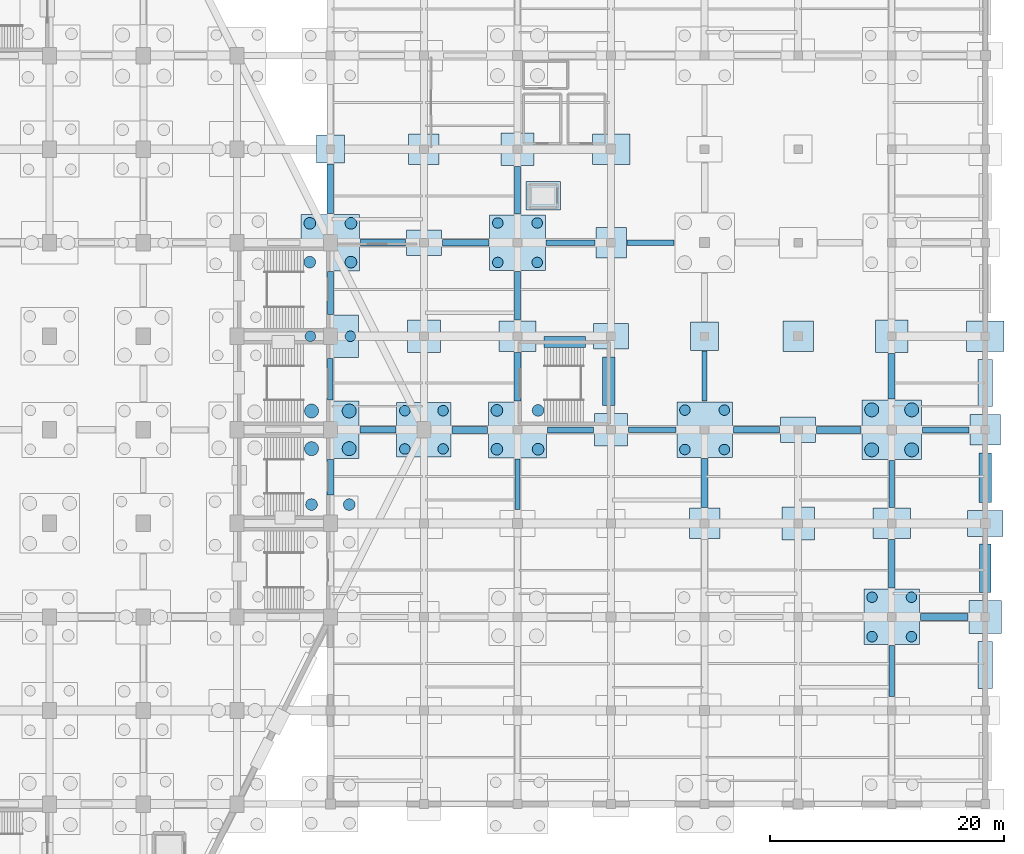
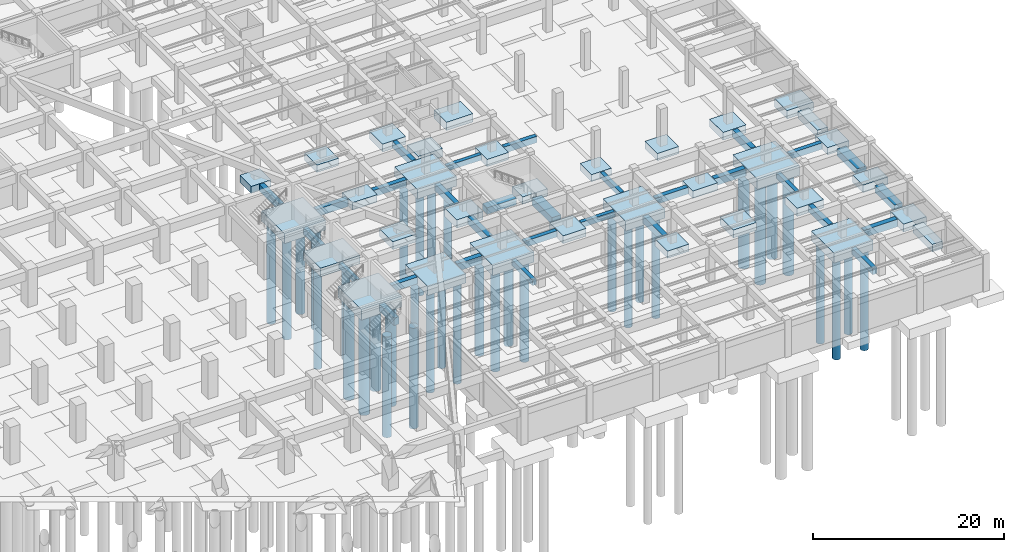
# One storey, part 13 of 36: 63 footings, 36 piles.
"""IFC4 building model written with IfcOpenShell, lengths in metres."""

import ifcopenshell
import ifcopenshell.guid

model = None  # the IFC model being written
_history = None  # IfcOwnerHistory: only IFC2X3 demands one
_inside = {}  # id of a spatial element -> (the spatial element, [elements in it])
_under = {}  # id of a project, library or spatial element -> (it, [spatial elements below it])
_declared = {}  # id of a project -> (the project, [libraries it declares])
_typed = {}  # id of a type object -> (the type object, [elements of that type])
_made_of = {}  # id of a material, layer set ... -> (it, [elements and type objects made of it])


def new_model(schema):
    """Start an empty IFC model of exactly this schema.

    Asked for "IFC4X3", IfcOpenShell would pick the latest addendum, in which some entities
    have other attributes; the version numbers below select the first issue.
    IFC2X3 requires an IfcOwnerHistory on every rooted entity: one is made here for all.
    """
    global model, _history
    if schema == "IFC4X3":
        model = ifcopenshell.file(schema_version=(4, 3, 0, 0))
    else:
        model = ifcopenshell.file(schema=schema)
    _inside.clear()
    _under.clear()
    _declared.clear()
    _typed.clear()
    _made_of.clear()
    _history = None
    if model.schema == "IFC2X3":
        org = make("IfcOrganization", Name="unknown")
        user = make(
            "IfcPersonAndOrganization",
            ThePerson=make("IfcPerson", FamilyName="unknown"),
            TheOrganization=org,
        )
        app = make(
            "IfcApplication",
            ApplicationDeveloper=org,
            Version="unknown",
            ApplicationFullName="unknown",
            ApplicationIdentifier="unknown",
        )
        _history = make(
            "IfcOwnerHistory",
            OwningUser=user,
            OwningApplication=app,
            ChangeAction="ADDED",
            CreationDate=0,
        )
    return model


def make(cls, **values):
    """One entity of the class cls with the attributes given. An attribute that is None is left unset."""
    return model.create_entity(
        cls, **{name: value for name, value in values.items() if value is not None}
    )


def rooted(cls, **values):
    """An entity with a GlobalId (a new one), such as an element, a storey or a relation."""
    return make(cls, GlobalId=ifcopenshell.guid.new(), OwnerHistory=_history, **values)


def si_unit(unit_type, name, prefix=None):
    """IfcSIUnit, for example si_unit("LENGTHUNIT", "METRE", prefix="MILLI")."""
    return make("IfcSIUnit", UnitType=unit_type, Prefix=prefix, Name=name)


def assignment(units):
    """IfcUnitAssignment: the units of a project."""
    return None if units is None else make("IfcUnitAssignment", Units=units)


def point(xyz):
    """IfcCartesianPoint."""
    return None if xyz is None else make("IfcCartesianPoint", Coordinates=xyz)


def direction(xyz):
    """IfcDirection."""
    return None if xyz is None else make("IfcDirection", DirectionRatios=xyz)


def frame(location, z_axis=None, x_axis=None):
    """IfcAxis2Placement3D, a coordinate frame: its origin and axes. An axis left out is left unset."""
    return make(
        "IfcAxis2Placement3D",
        Location=point(location),
        Axis=direction(z_axis),
        RefDirection=direction(x_axis),
    )


def frame_2d(location, x_axis=None):
    """IfcAxis2Placement2D, a coordinate frame in the plane: its origin and x axis."""
    return make(
        "IfcAxis2Placement2D", Location=point(location), RefDirection=direction(x_axis)
    )


def origin():
    """The frame at (0, 0, 0) with its axes left unset."""
    return frame((0.0, 0.0, 0.0))


def origin_2d():
    """The frame at (0, 0) in the plane with its x axis left unset."""
    return frame_2d((0.0, 0.0))


def place(relative_to, where):
    """IfcLocalPlacement: puts the frame where relative to a parent placement (None: the world)."""
    return make(
        "IfcLocalPlacement", PlacementRelTo=relative_to, RelativePlacement=where
    )


def context(
    kind, dimensions, precision=None, world=None, true_north=None, identifier=None
):
    """IfcGeometricRepresentationContext, for example the 3D "Model" context."""
    return make(
        "IfcGeometricRepresentationContext",
        ContextIdentifier=identifier,
        ContextType=kind,
        CoordinateSpaceDimension=dimensions,
        Precision=precision,
        WorldCoordinateSystem=world,
        TrueNorth=true_north,
    )


def subcontext(parent, identifier, kind, view, scale=None):
    """IfcGeometricRepresentationSubContext, for example "Body" below "Model"."""
    return make(
        "IfcGeometricRepresentationSubContext",
        ContextIdentifier=identifier,
        ContextType=kind,
        ParentContext=parent,
        TargetScale=scale,
        TargetView=view,
    )


def project(units=None, contexts=None):
    """IfcProject with its units and contexts."""
    return rooted(
        "IfcProject",
        Name="project",
        RepresentationContexts=contexts,
        UnitsInContext=assignment(units),
    )


def spatial(cls, under=None, at=None, **own):
    """A site, building, storey or space (cls), placed at a placement, below another one or the project."""
    s = rooted(cls, ObjectPlacement=at, **own)
    if under is not None:
        _under.setdefault(under.id(), (under, []))[1].append(s)
    return s


def profile(cls, at=None, kind="AREA", **sizes):
    """A parametric profile (cls). Its sizes go by their IFC names, for example OverallWidth=200.0."""
    return make(cls, ProfileType=kind, Position=at, **sizes)


def rectangle(**sizes):
    """IfcRectangleProfileDef."""
    return profile("IfcRectangleProfileDef", **sizes)


def circle(**sizes):
    """IfcCircleProfileDef."""
    return profile("IfcCircleProfileDef", **sizes)


def extrude(swept, where, along, depth):
    """IfcExtrudedAreaSolid: the profile swept, set in the frame where, extruded along a direction by depth."""
    return make(
        "IfcExtrudedAreaSolid",
        SweptArea=swept,
        Position=where,
        ExtrudedDirection=direction(along),
        Depth=depth,
    )


def shape(context_of_items, identifier, shape_type, items):
    """IfcShapeRepresentation: the items that make up one representation, for example the "Body"."""
    return make(
        "IfcShapeRepresentation",
        ContextOfItems=context_of_items,
        RepresentationIdentifier=identifier,
        RepresentationType=shape_type,
        Items=items,
    )


def material(Name=None, Category=None):
    """IfcMaterial."""
    return make("IfcMaterial", Name=Name, Category=Category)


def material_profile(
    of_material, cross_section, Name=None, Category=None, Priority=None
):
    """IfcMaterialProfile: a cross section and its material."""
    return make(
        "IfcMaterialProfile",
        Name=Name,
        Material=of_material,
        Profile=cross_section,
        Priority=Priority,
        Category=Category,
    )


def profile_set(profiles, Name=None, composite=None):
    """IfcMaterialProfileSet."""
    return make(
        "IfcMaterialProfileSet",
        Name=Name,
        MaterialProfiles=profiles,
        CompositeProfile=composite,
    )


def made_of(thing, what):
    """Note that an element or type object is made of a material, layer set ...; save() writes the relation."""
    if what is not None:
        _made_of.setdefault(what.id(), (what, []))[1].append(thing)
    return thing


def type_object(cls, material=None, **own):
    """A type object (cls), such as IfcWallType, which elements share."""
    return made_of(rooted(cls, **own), material)


def element(
    cls,
    number,
    at=None,
    inside=None,
    cuts=None,
    type_object=None,
    material=None,
    context=None,
    identifier="Body",
    shape_type=None,
    held_by="IfcProductDefinitionShape",
    body=None,
    shapes=None,
    **own,
):
    """One element of the class cls, such as IfcWall. Its Tag is "e" and its number.

    at: its placement. inside: the storey or other place that contains it. cuts: it is an
    opening in that element (IfcRelVoidsElement). A single representation is given by context,
    identifier, shape_type and body (its items); several are given by shapes. held_by: the class
    of the entity that holds the representations. save() writes the other relations.
    """
    e = rooted(cls, Tag="e%d" % number, ObjectPlacement=at, **own)
    if body is not None:
        shapes = [shape(context, identifier, shape_type, body)]
    if shapes is not None:
        e.Representation = make(held_by, Representations=shapes)
    if inside is not None:
        _inside.setdefault(inside.id(), (inside, []))[1].append(e)
    if cuts is not None:
        rooted(
            "IfcRelVoidsElement", RelatingBuildingElement=cuts, RelatedOpeningElement=e
        )
    if type_object is not None:
        _typed.setdefault(type_object.id(), (type_object, []))[1].append(e)
    return made_of(e, material)


def aggregate(whole, parts):
    """IfcRelAggregates: a whole, such as a stair, and the parts it consists of."""
    return rooted("IfcRelAggregates", RelatingObject=whole, RelatedObjects=parts)


def save(model, path):
    """Write the relations noted so far, then the file.

    IfcRelAggregates (storeys below a building ...), IfcRelContainedInSpatialStructure (elements
    in a storey), IfcRelDefinesByType, IfcRelAssociatesMaterial and IfcRelDeclares: one each for
    every whole, place, type object, material and project.
    """
    for whole, parts in _under.values():
        aggregate(whole, parts)
    for where, things in _inside.values():
        rooted(
            "IfcRelContainedInSpatialStructure",
            RelatedElements=things,
            RelatingStructure=where,
        )
    for kind, things in _typed.values():
        rooted("IfcRelDefinesByType", RelatedObjects=things, RelatingType=kind)
    for what, things in _made_of.values():
        rooted("IfcRelAssociatesMaterial", RelatedObjects=things, RelatingMaterial=what)
    for by, libraries in _declared.values():
        rooted("IfcRelDeclares", RelatingContext=by, RelatedDefinitions=libraries)
    model.write(path)


model = new_model("IFC4")

# Units and contexts
model_context = context("Model", 3, precision=1e-05, world=origin(), true_north=direction((0.0, 1.0)))
body_context = subcontext(model_context, "Body", "Model", "MODEL_VIEW")
ifc_project = project(units=[si_unit("LENGTHUNIT", "METRE"), si_unit("AREAUNIT", "SQUARE_METRE"), si_unit("VOLUMEUNIT", "CUBIC_METRE"), si_unit("PLANEANGLEUNIT", "RADIAN"), si_unit("MASSUNIT", "GRAM", prefix="KILO")], contexts=[model_context])

# Site, building, storey
site_placement = place(None, origin())
site = spatial("IfcSite", under=ifc_project, at=site_placement, CompositionType="ELEMENT")
building_placement = place(site_placement, origin())
building = spatial("IfcBuilding", under=site, at=building_placement, Name="Tazarka Park Arena", CompositionType="ELEMENT")
storey_placement = place(building_placement, frame((0.0, 0.0, -4.800048828125)))
storey = spatial("IfcBuildingStorey", under=building, at=storey_placement, Name="B1", CompositionType="ELEMENT", Elevation=-4.800048828125)

# Footings
ifc_material_1 = material(Name="Concrete C35/45", Category="concrete")
footing_type_1 = type_object("IfcFootingType", Name="CAP-PC-02", PredefinedType="PILE_CAP", material=ifc_material_1)
footing_1_placement = place(storey_placement, frame((128.0, 64.0, -1.39990234375), z_axis=(0.0, 0.0, 1.0), x_axis=(1.0, 0.0, 0.0)))
element("IfcFooting", 1, at=footing_1_placement, inside=storey, type_object=footing_type_1, Name="CAP-G-16-08", PredefinedType="PILE_CAP", context=body_context, shape_type="SweptSolid", body=[
    extrude(rectangle(XDim=4.89990234375, YDim=4.89990234375, at=origin_2d()), origin(), (0.0, 0.0, 1.0), 1.39990234375),
])
ifc_material_2 = material(Name="Concrete C35/45", Category="concrete")
footing_type_2 = type_object("IfcFootingType", Name="CAP-PC-03", PredefinedType="PILE_CAP", material=ifc_material_2)
footing_2_placement = place(storey_placement, frame((128.0, 72.0, -1.10009765625), z_axis=(0.0, 0.0, 1.0), x_axis=(1.0, 0.0, 0.0)))
element("IfcFooting", 2, at=footing_2_placement, inside=storey, type_object=footing_type_2, Name="CAP-G-16-09", PredefinedType="PILE_CAP", context=body_context, shape_type="SweptSolid", body=[
    extrude(rectangle(XDim=4.800048828125, YDim=3.60009765625, at=origin_2d()), origin(), (0.0, 0.0, 1.0), 1.10009765625),
])
ifc_material_3 = material(Name="Concrete C35/45", Category="concrete")
footing_type_3 = type_object("IfcFootingType", Name="CAP-PC-04", PredefinedType="PILE_CAP", material=ifc_material_3)
for number, where, z_axis, x_axis, name in (
    (3, (128.0, 80.0, -1.2998046875), (0.0, 0.0, 1.0), (1.0, 0.0, 0.0), "CAP-G-16-10"),
    (4, (144.0, 64.0, -1.2998046875), (0.0, 0.0, 1.0), (1.0, 0.0, 0.0), "CAP-G-18-08"),
):
    element("IfcFooting", number, at=place(storey_placement, frame(where, z_axis=z_axis, x_axis=x_axis)), inside=storey, type_object=footing_type_3, Name=name, PredefinedType="PILE_CAP", context=body_context, shape_type="SweptSolid", body=[
        extrude(rectangle(XDim=5.0, YDim=4.800048828125, at=origin_2d()), origin(), (0.0, 0.0, 1.0), 1.300048828125),
    ])
ifc_material_4 = material(Name="Concrete C35/45", Category="concrete")
footing_type_4 = type_object("IfcFootingType", Name="CAP-PC-06", PredefinedType="PILE_CAP", material=ifc_material_4)
for number, where, z_axis, x_axis, name in (
    (5, (144.0, 80.0, -1.25), (0.0, 0.0, 1.0), (1.0, 0.0, 0.0), "CAP-G-18-10"),
    (6, (160.0, 64.0, -1.25), (0.0, 0.0, 1.0), (1.0, 0.0, 0.0), "CAP-G-20-08"),
    (7, (176.0, 48.0, -1.25), (0.0, 0.0, 1.0), (1.0, 0.0, 0.0), "CAP-G-22-06"),
):
    element("IfcFooting", number, at=place(storey_placement, frame(where, z_axis=z_axis, x_axis=x_axis)), inside=storey, type_object=footing_type_4, Name=name, PredefinedType="PILE_CAP", context=body_context, shape_type="SweptSolid", body=[
        extrude(rectangle(XDim=4.75, YDim=4.75, at=origin_2d()), origin(), (0.0, 0.0, 1.0), 1.25),
    ])
ifc_material_5 = material(Name="Concrete C35/45", Category="concrete")
footing_type_5 = type_object("IfcFootingType", Name="CAP-PC-07", PredefinedType="PILE_CAP", material=ifc_material_5)
footing_3_placement = place(storey_placement, frame((136.0, 64.0, -1.14990234375), z_axis=(0.0, 0.0, 1.0), x_axis=(1.0, 0.0, 0.0)))
element("IfcFooting", 8, at=footing_3_placement, inside=storey, type_object=footing_type_5, Name="CAP-G-17-08", PredefinedType="PILE_CAP", context=body_context, shape_type="SweptSolid", body=[
    extrude(rectangle(XDim=4.64990234375, YDim=4.64990234375, at=origin_2d()), origin(), (0.0, 0.0, 1.0), 1.14990234375),
])
ifc_material_6 = material(Name="Concrete C35/45", Category="concrete")
footing_type_6 = type_object("IfcFootingType", Name="CAP-PC-08", PredefinedType="PILE_CAP", material=ifc_material_6)
footing_4_placement = place(storey_placement, frame((176.0, 64.0, -1.35009765625), z_axis=(0.0, 0.0, 1.0), x_axis=(1.0, 0.0, 0.0)))
element("IfcFooting", 9, at=footing_4_placement, inside=storey, type_object=footing_type_6, Name="CAP-G-22-08", PredefinedType="PILE_CAP", context=body_context, shape_type="SweptSolid", body=[
    extrude(rectangle(XDim=5.10009765625, YDim=5.10009765625, at=origin_2d()), origin(), (0.0, 0.0, 1.0), 1.35009765625),
])
ifc_material_7 = material(Name="Concrete C35/45", Category="concrete")
ifc_material_profile_1 = material_profile(ifc_material_7, rectangle(XDim=0.449951171875, YDim=0.699951171875, at=origin_2d()), Name="Concrete C35/45")
ifc_profile_set_1 = profile_set([ifc_material_profile_1], Name="Concrete C35/45")
footing_type_7 = type_object("IfcFootingType", Name="GB-GB-01", PredefinedType="FOOTING_BEAM", material=ifc_profile_set_1)
footing_5_placement = place(storey_placement, frame((128.0, 66.530029296875, -0.349853515625), z_axis=(0.0, 1.0, 0.0), x_axis=(-1.0, 0.0, 0.0)))
element("IfcFooting", 10, at=footing_5_placement, inside=storey, type_object=footing_type_7, Name="GB-Y-16-08", PredefinedType="FOOTING_BEAM", context=body_context, shape_type="SweptSolid", body=[
    extrude(rectangle(XDim=0.449951171875, YDim=0.699951171875, at=origin_2d()), origin(), (0.0, 0.0, 1.0), 3.590087890625),
])
footing_6_placement = place(storey_placement, frame((144.0, 57.179931640625, -0.349853515625), z_axis=(0.0, 1.0, 0.0), x_axis=(-1.0, 0.0, 0.0)))
element("IfcFooting", 11, at=footing_6_placement, inside=storey, type_object=footing_type_7, Name="GB-Y-18-07", PredefinedType="FOOTING_BEAM", context=body_context, shape_type="SweptSolid", body=[
    extrude(rectangle(XDim=0.449951171875, YDim=0.699951171875, at=origin_2d()), origin(), (0.0, 0.0, 1.0), 4.340087890625),
])
footing_7_placement = place(storey_placement, frame((146.455078125, 80.0, -0.349853515625), z_axis=(1.0, 0.0, 0.0), x_axis=(0.0, 1.0, 0.0)))
element("IfcFooting", 12, at=footing_7_placement, inside=storey, type_object=footing_type_7, Name="GB-X-18-10", PredefinedType="FOOTING_BEAM", context=body_context, shape_type="SweptSolid", body=[
    extrude(rectangle(XDim=0.449951171875, YDim=0.699951171875, at=origin_2d()), origin(), (0.0, 0.0, 1.0), 4.1650390625),
])
footing_8_placement = place(storey_placement, frame((153.47998046875, 64.0, -0.349853515625), z_axis=(1.0, 0.0, 0.0), x_axis=(0.0, 1.0, 0.0)))
element("IfcFooting", 13, at=footing_8_placement, inside=storey, type_object=footing_type_7, Name="GB-X-19-08", PredefinedType="FOOTING_BEAM", context=body_context, shape_type="SweptSolid", body=[
    extrude(rectangle(XDim=0.449951171875, YDim=0.699951171875, at=origin_2d()), origin(), (0.0, 0.0, 1.0), 4.06494140625),
])
footing_9_placement = place(storey_placement, frame((160.0, 66.455078125, -0.349853515625), z_axis=(0.0, 1.0, 0.0), x_axis=(-1.0, 0.0, 0.0)))
element("IfcFooting", 14, at=footing_9_placement, inside=storey, type_object=footing_type_7, Name="GB-Y-20-08", PredefinedType="FOOTING_BEAM", context=body_context, shape_type="SweptSolid", body=[
    extrude(rectangle(XDim=0.449951171875, YDim=0.699951171875, at=origin_2d()), origin(), (0.0, 0.0, 1.0), 4.264892578125),
])
footing_10_placement = place(storey_placement, frame((176.0, 57.3798828125, -0.349853515625), z_axis=(0.0, 1.0, 0.0), x_axis=(-1.0, 0.0, 0.0)))
element("IfcFooting", 15, at=footing_10_placement, inside=storey, type_object=footing_type_7, Name="GB-Y-22-07", PredefinedType="FOOTING_BEAM", context=body_context, shape_type="SweptSolid", body=[
    extrude(rectangle(XDim=0.449951171875, YDim=0.699951171875, at=origin_2d()), origin(), (0.0, 0.0, 1.0), 3.990234375),
])
ifc_material_8 = material(Name="Concrete C35/45", Category="concrete")
ifc_material_profile_2 = material_profile(ifc_material_8, rectangle(XDim=0.5, YDim=0.800048828125, at=origin_2d()), Name="Concrete C35/45")
ifc_profile_set_2 = profile_set([ifc_material_profile_2], Name="Concrete C35/45")
footing_type_8 = type_object("IfcFootingType", Name="GB-GB-02", PredefinedType="FOOTING_BEAM", material=ifc_profile_set_2)
footing_11_placement = place(storey_placement, frame((128.0, 73.8798828125, -0.39990234375), z_axis=(0.0, 1.0, 0.0), x_axis=(-1.0, 0.0, 0.0)))
element("IfcFooting", 16, at=footing_11_placement, inside=storey, type_object=footing_type_8, Name="GB-Y-16-09", PredefinedType="FOOTING_BEAM", context=body_context, shape_type="SweptSolid", body=[
    extrude(rectangle(XDim=0.5, YDim=0.800048828125, at=origin_2d()), origin(), (0.0, 0.0, 1.0), 3.64013671875),
])
footing_12_placement = place(storey_placement, frame((146.580078125, 64.0, -0.39990234375), z_axis=(1.0, 0.0, 0.0), x_axis=(0.0, 1.0, 0.0)))
element("IfcFooting", 17, at=footing_12_placement, inside=storey, type_object=footing_type_8, Name="GB-X-18-08", PredefinedType="FOOTING_BEAM", context=body_context, shape_type="SweptSolid", body=[
    extrude(rectangle(XDim=0.5, YDim=0.800048828125, at=origin_2d()), origin(), (0.0, 0.0, 1.0), 3.93994140625),
])
footing_13_placement = place(storey_placement, frame((144.0, 82.455078125, -0.39990234375), z_axis=(0.0, 1.0, 0.0), x_axis=(-1.0, 0.0, 0.0)))
element("IfcFooting", 18, at=footing_13_placement, inside=storey, type_object=footing_type_8, Name="GB-Y-18-10", PredefinedType="FOOTING_BEAM", context=body_context, shape_type="SweptSolid", body=[
    extrude(rectangle(XDim=0.5, YDim=0.800048828125, at=origin_2d()), origin(), (0.0, 0.0, 1.0), 4.06494140625),
])
footing_14_placement = place(storey_placement, frame((153.3798828125, 80.0, -0.39990234375), z_axis=(1.0, 0.0, 0.0), x_axis=(0.0, 1.0, 0.0)))
element("IfcFooting", 19, at=footing_14_placement, inside=storey, type_object=footing_type_8, Name="GB-X-19-10", PredefinedType="FOOTING_BEAM", context=body_context, shape_type="SweptSolid", body=[
    extrude(rectangle(XDim=0.5, YDim=0.800048828125, at=origin_2d()), origin(), (0.0, 0.0, 1.0), 3.990234375),
])
footing_15_placement = place(storey_placement, frame((176.0, 41.179931640625, -0.39990234375), z_axis=(0.0, 1.0, 0.0), x_axis=(-1.0, 0.0, 0.0)))
element("IfcFooting", 20, at=footing_15_placement, inside=storey, type_object=footing_type_8, Name="GB-Y-22-05", PredefinedType="FOOTING_BEAM", context=body_context, shape_type="SweptSolid", body=[
    extrude(rectangle(XDim=0.5, YDim=0.800048828125, at=origin_2d()), origin(), (0.0, 0.0, 1.0), 4.364990234375),
])
footing_16_placement = place(storey_placement, frame((178.6298828125, 64.0, -0.39990234375), z_axis=(1.0, 0.0, 0.0), x_axis=(0.0, 1.0, 0.0)))
element("IfcFooting", 21, at=footing_16_placement, inside=storey, type_object=footing_type_8, Name="GB-X-22-08", PredefinedType="FOOTING_BEAM", context=body_context, shape_type="SweptSolid", body=[
    extrude(rectangle(XDim=0.5, YDim=0.800048828125, at=origin_2d()), origin(), (0.0, 0.0, 1.0), 3.990234375),
])
ifc_material_9 = material(Name="Concrete C35/45", Category="concrete")
ifc_material_profile_3 = material_profile(ifc_material_9, rectangle(XDim=0.60009765625, YDim=0.949951171875, at=origin_2d()), Name="Concrete C35/45")
ifc_profile_set_3 = profile_set([ifc_material_profile_3], Name="Concrete C35/45")
footing_type_9 = type_object("IfcFootingType", Name="GB-GB-03", PredefinedType="FOOTING_BEAM", material=ifc_profile_set_3)
footing_17_placement = place(storey_placement, frame((128.0, 58.429931640625, -0.474853515625), z_axis=(0.0, 1.0, 0.0), x_axis=(-1.0, 0.0, 0.0)))
element("IfcFooting", 22, at=footing_17_placement, inside=storey, type_object=footing_type_9, Name="GB-Y-16-07", PredefinedType="FOOTING_BEAM", context=body_context, shape_type="SweptSolid", body=[
    extrude(rectangle(XDim=0.60009765625, YDim=0.949951171875, at=origin_2d()), origin(), (0.0, 0.0, 1.0), 3.0400390625),
])
footing_18_placement = place(storey_placement, frame((130.580078125, 80.0, -0.474853515625), z_axis=(1.0, 0.0, 0.0), x_axis=(0.0, 1.0, 0.0)))
element("IfcFooting", 23, at=footing_18_placement, inside=storey, type_object=footing_type_9, Name="GB-X-16-10", PredefinedType="FOOTING_BEAM", context=body_context, shape_type="SweptSolid", body=[
    extrude(rectangle(XDim=0.60009765625, YDim=0.949951171875, at=origin_2d()), origin(), (0.0, 0.0, 1.0), 3.83984375),
])
footing_19_placement = place(storey_placement, frame((138.405029296875, 64.0, -0.474853515625), z_axis=(1.0, 0.0, 0.0), x_axis=(0.0, 1.0, 0.0)))
element("IfcFooting", 24, at=footing_19_placement, inside=storey, type_object=footing_type_9, Name="GB-X-17-08", PredefinedType="FOOTING_BEAM", context=body_context, shape_type="SweptSolid", body=[
    extrude(rectangle(XDim=0.60009765625, YDim=0.949951171875, at=origin_2d()), origin(), (0.0, 0.0, 1.0), 3.014892578125),
])
footing_20_placement = place(storey_placement, frame((144.0, 66.47998046875, -0.474853515625), z_axis=(0.0, 1.0, 0.0), x_axis=(-1.0, 0.0, 0.0)))
element("IfcFooting", 25, at=footing_20_placement, inside=storey, type_object=footing_type_9, Name="GB-Y-18-08", PredefinedType="FOOTING_BEAM", context=body_context, shape_type="SweptSolid", body=[
    extrude(rectangle(XDim=0.60009765625, YDim=0.949951171875, at=origin_2d()), origin(), (0.0, 0.0, 1.0), 4.14013671875),
])
footing_21_placement = place(storey_placement, frame((160.0, 57.3798828125, -0.474853515625), z_axis=(0.0, 1.0, 0.0), x_axis=(-1.0, 0.0, 0.0)))
element("IfcFooting", 26, at=footing_21_placement, inside=storey, type_object=footing_type_9, Name="GB-Y-20-07", PredefinedType="FOOTING_BEAM", context=body_context, shape_type="SweptSolid", body=[
    extrude(rectangle(XDim=0.60009765625, YDim=0.949951171875, at=origin_2d()), origin(), (0.0, 0.0, 1.0), 4.1650390625),
])
footing_22_placement = place(storey_placement, frame((169.580078125, 64.0, -0.474853515625), z_axis=(1.0, 0.0, 0.0), x_axis=(0.0, 1.0, 0.0)))
element("IfcFooting", 27, at=footing_22_placement, inside=storey, type_object=footing_type_9, Name="GB-X-21-08", PredefinedType="FOOTING_BEAM", context=body_context, shape_type="SweptSolid", body=[
    extrude(rectangle(XDim=0.60009765625, YDim=0.949951171875, at=origin_2d()), origin(), (0.0, 0.0, 1.0), 3.7900390625),
])
footing_23_placement = place(storey_placement, frame((178.455078125, 48.0, -0.474853515625), z_axis=(1.0, 0.0, 0.0), x_axis=(0.0, 1.0, 0.0)))
element("IfcFooting", 28, at=footing_23_placement, inside=storey, type_object=footing_type_9, Name="GB-X-22-06", PredefinedType="FOOTING_BEAM", context=body_context, shape_type="SweptSolid", body=[
    extrude(rectangle(XDim=0.60009765625, YDim=0.949951171875, at=origin_2d()), origin(), (0.0, 0.0, 1.0), 4.06494140625),
])
footing_24_placement = place(storey_placement, frame((176.0, 66.6298828125, -0.474853515625), z_axis=(0.0, 1.0, 0.0), x_axis=(-1.0, 0.0, 0.0)))
element("IfcFooting", 29, at=footing_24_placement, inside=storey, type_object=footing_type_9, Name="GB-Y-22-08", PredefinedType="FOOTING_BEAM", context=body_context, shape_type="SweptSolid", body=[
    extrude(rectangle(XDim=0.60009765625, YDim=0.949951171875, at=origin_2d()), origin(), (0.0, 0.0, 1.0), 3.89013671875),
])
ifc_material_10 = material(Name="Concrete C35/45", Category="concrete")
ifc_material_profile_4 = material_profile(ifc_material_10, rectangle(XDim=0.550048828125, YDim=0.85009765625, at=origin_2d()), Name="Concrete C35/45")
ifc_profile_set_4 = profile_set([ifc_material_profile_4], Name="Concrete C35/45")
footing_type_10 = type_object("IfcFootingType", Name="GB-GB-04", PredefinedType="FOOTING_BEAM", material=ifc_profile_set_4)
footing_25_placement = place(storey_placement, frame((130.530029296875, 64.0, -0.425048828125), z_axis=(1.0, 0.0, 0.0), x_axis=(0.0, 1.0, 0.0)))
element("IfcFooting", 30, at=footing_25_placement, inside=storey, type_object=footing_type_10, Name="GB-X-16-08", PredefinedType="FOOTING_BEAM", context=body_context, shape_type="SweptSolid", body=[
    extrude(rectangle(XDim=0.550048828125, YDim=0.85009765625, at=origin_2d()), origin(), (0.0, 0.0, 1.0), 3.06494140625),
])
footing_26_placement = place(storey_placement, frame((128.0, 82.47998046875, -0.425048828125), z_axis=(0.0, 1.0, 0.0), x_axis=(-1.0, 0.0, 0.0)))
element("IfcFooting", 31, at=footing_26_placement, inside=storey, type_object=footing_type_10, Name="GB-Y-16-10", PredefinedType="FOOTING_BEAM", context=body_context, shape_type="SweptSolid", body=[
    extrude(rectangle(XDim=0.550048828125, YDim=0.85009765625, at=origin_2d()), origin(), (0.0, 0.0, 1.0), 4.239990234375),
])
footing_27_placement = place(storey_placement, frame((137.580078125, 80.0, -0.425048828125), z_axis=(1.0, 0.0, 0.0), x_axis=(0.0, 1.0, 0.0)))
element("IfcFooting", 32, at=footing_27_placement, inside=storey, type_object=footing_type_10, Name="GB-X-17-10", PredefinedType="FOOTING_BEAM", context=body_context, shape_type="SweptSolid", body=[
    extrude(rectangle(XDim=0.550048828125, YDim=0.85009765625, at=origin_2d()), origin(), (0.0, 0.0, 1.0), 3.96484375),
])
footing_28_placement = place(storey_placement, frame((144.0, 73.3798828125, -0.425048828125), z_axis=(0.0, 1.0, 0.0), x_axis=(-1.0, 0.0, 0.0)))
element("IfcFooting", 33, at=footing_28_placement, inside=storey, type_object=footing_type_10, Name="GB-Y-18-09", PredefinedType="FOOTING_BEAM", context=body_context, shape_type="SweptSolid", body=[
    extrude(rectangle(XDim=0.550048828125, YDim=0.85009765625, at=origin_2d()), origin(), (0.0, 0.0, 1.0), 4.1650390625),
])
footing_29_placement = place(storey_placement, frame((162.455078125, 64.0, -0.425048828125), z_axis=(1.0, 0.0, 0.0), x_axis=(0.0, 1.0, 0.0)))
element("IfcFooting", 34, at=footing_29_placement, inside=storey, type_object=footing_type_10, Name="GB-X-20-08", PredefinedType="FOOTING_BEAM", context=body_context, shape_type="SweptSolid", body=[
    extrude(rectangle(XDim=0.550048828125, YDim=0.85009765625, at=origin_2d()), origin(), (0.0, 0.0, 1.0), 3.96484375),
])
footing_30_placement = place(storey_placement, frame((176.0, 50.455078125, -0.425048828125), z_axis=(0.0, 1.0, 0.0), x_axis=(-1.0, 0.0, 0.0)))
element("IfcFooting", 35, at=footing_30_placement, inside=storey, type_object=footing_type_10, Name="GB-Y-22-06", PredefinedType="FOOTING_BEAM", context=body_context, shape_type="SweptSolid", body=[
    extrude(rectangle(XDim=0.550048828125, YDim=0.85009765625, at=origin_2d()), origin(), (0.0, 0.0, 1.0), 4.1650390625),
])
ifc_material_11 = material(Name="Concrete C35/45", Category="concrete")
footing_type_11 = type_object("IfcFootingType", Name="PAD-PF-01", PredefinedType="PAD_FOOTING", material=ifc_material_11)
for number, where, z_axis, x_axis, name in (
    (36, (128.0, 88.0, -0.89990234375), (0.0, 0.0, 1.0), (1.0, 0.0, 0.0), "PAD-G-16-11"),
    (37, (160.0, 72.0, -0.89990234375), (0.0, 0.0, 1.0), (1.0, 0.0, 0.0), "PAD-G-20-09"),
):
    element("IfcFooting", number, at=place(storey_placement, frame(where, z_axis=z_axis, x_axis=x_axis)), inside=storey, type_object=footing_type_11, Name=name, PredefinedType="PAD_FOOTING", context=body_context, shape_type="SweptSolid", body=[
        extrude(rectangle(XDim=2.39990234375, YDim=2.39990234375, at=origin_2d()), origin(), (0.0, 0.0, 1.0), 0.89990234375),
    ])
ifc_material_12 = material(Name="Concrete C35/45", Category="concrete")
footing_type_12 = type_object("IfcFootingType", Name="PAD-PF-02", PredefinedType="PAD_FOOTING", material=ifc_material_12)
for number, where, z_axis, x_axis, name in (
    (38, (136.0, 72.0, -1.0), (0.0, 0.0, 1.0), (1.0, 0.0, 0.0), "PAD-G-17-09"),
    (39, (144.0, 88.0, -1.0), (0.0, 0.0, 1.0), (1.0, 0.0, 0.0), "PAD-G-18-11"),
    (40, (152.0, 64.0, -1.0), (0.0, 0.0, 1.0), (1.0, 0.0, 0.0), "PAD-G-19-08"),
    (41, (168.0, 56.0, -1.0), (0.0, 0.0, 1.0), (1.0, 0.0, 0.0), "PAD-G-21-07"),
    (42, (176.0, 72.0, -1.0), (0.0, 0.0, 1.0), (1.0, 0.0, 0.0), "PAD-G-22-09"),
    (43, (184.0, 48.0, -1.0), (0.0, 0.0, 1.0), (1.0, 0.0, 0.0), "PAD-G-23-06"),
):
    element("IfcFooting", number, at=place(storey_placement, frame(where, z_axis=z_axis, x_axis=x_axis)), inside=storey, type_object=footing_type_12, Name=name, PredefinedType="PAD_FOOTING", context=body_context, shape_type="SweptSolid", body=[
        extrude(rectangle(XDim=2.800048828125, YDim=2.800048828125, at=origin_2d()), origin(), (0.0, 0.0, 1.0), 1.0),
    ])
ifc_material_13 = material(Name="Concrete C35/45", Category="concrete")
footing_type_13 = type_object("IfcFootingType", Name="PAD-PF-03", PredefinedType="PAD_FOOTING", material=ifc_material_13)
for number, where, z_axis, x_axis, name in (
    (44, (136.0, 80.0, -0.94970703125), (0.0, 0.0, 1.0), (1.0, 0.0, 0.0), "PAD-G-17-10"),
    (45, (152.0, 72.0, -0.94970703125), (0.0, 0.0, 1.0), (1.0, 0.0, 0.0), "PAD-G-19-09"),
    (46, (168.0, 64.0, -0.94970703125), (0.0, 0.0, 1.0), (1.0, 0.0, 0.0), "PAD-G-21-08"),
    (47, (184.0, 56.0, -0.94970703125), (0.0, 0.0, 1.0), (1.0, 0.0, 0.0), "PAD-G-23-07"),
):
    element("IfcFooting", number, at=place(storey_placement, frame(where, z_axis=z_axis, x_axis=x_axis)), inside=storey, type_object=footing_type_13, Name=name, PredefinedType="PAD_FOOTING", context=body_context, shape_type="SweptSolid", body=[
        extrude(rectangle(XDim=3.0, YDim=2.199951171875, at=origin_2d()), origin(), (0.0, 0.0, 1.0), 0.949951171875),
    ])
ifc_material_14 = material(Name="Concrete C35/45", Category="concrete")
footing_type_14 = type_object("IfcFootingType", Name="PAD-PF-04", PredefinedType="PAD_FOOTING", material=ifc_material_14)
for number, where, z_axis, x_axis, name in (
    (48, (136.0, 88.0, -0.919921875), (0.0, 0.0, 1.0), (1.0, 0.0, 0.0), "PAD-G-17-11"),
    (49, (152.0, 80.0, -0.919921875), (0.0, 0.0, 1.0), (1.0, 0.0, 0.0), "PAD-G-19-10"),
    (50, (160.0, 56.0, -0.919921875), (0.0, 0.0, 1.0), (1.0, 0.0, 0.0), "PAD-G-20-07"),
    (51, (168.0, 72.0, -0.919921875), (0.0, 0.0, 1.0), (1.0, 0.0, 0.0), "PAD-G-21-09"),
    (52, (184.0, 64.0, -0.919921875), (0.0, 0.0, 1.0), (1.0, 0.0, 0.0), "PAD-G-23-08"),
):
    element("IfcFooting", number, at=place(storey_placement, frame(where, z_axis=z_axis, x_axis=x_axis)), inside=storey, type_object=footing_type_14, Name=name, PredefinedType="PAD_FOOTING", context=body_context, shape_type="SweptSolid", body=[
        extrude(rectangle(XDim=2.60009765625, YDim=2.60009765625, at=origin_2d()), origin(), (0.0, 0.0, 1.0), 0.919921875),
    ])
ifc_material_15 = material(Name="Concrete C35/45", Category="concrete")
footing_type_15 = type_object("IfcFootingType", Name="PAD-PF-05", PredefinedType="PAD_FOOTING", material=ifc_material_15)
for number, where, z_axis, x_axis, name in (
    (53, (144.0, 72.0, -1.0498046875), (0.0, 0.0, 1.0), (1.0, 0.0, 0.0), "PAD-G-18-09"),
    (54, (152.0, 88.0, -1.0498046875), (0.0, 0.0, 1.0), (1.0, 0.0, 0.0), "PAD-G-19-11"),
    (55, (176.0, 56.0, -1.0498046875), (0.0, 0.0, 1.0), (1.0, 0.0, 0.0), "PAD-G-22-07"),
    (56, (184.0, 72.0, -1.0498046875), (0.0, 0.0, 1.0), (1.0, 0.0, 0.0), "PAD-G-23-09"),
):
    element("IfcFooting", number, at=place(storey_placement, frame(where, z_axis=z_axis, x_axis=x_axis)), inside=storey, type_object=footing_type_15, Name=name, PredefinedType="PAD_FOOTING", context=body_context, shape_type="SweptSolid", body=[
        extrude(rectangle(XDim=3.199951171875, YDim=2.60009765625, at=origin_2d()), origin(), (0.0, 0.0, 1.0), 1.050048828125),
    ])
footing_31_placement = place(storey_placement, frame((146.199951171875, 84.0, -1.0498046875), z_axis=(0.0, 0.0, 1.0), x_axis=(1.0, 0.0, 0.0)))
element("IfcFooting", 57, at=footing_31_placement, inside=storey, type_object=footing_type_15, Name="PAD-LF-LF-10", PredefinedType="PAD_FOOTING", context=body_context, shape_type="SweptSolid", body=[
    extrude(rectangle(XDim=2.93994140625, YDim=2.43994140625, at=origin_2d()), origin(), (0.0, 0.0, 1.0), 1.050048828125),
])

# Piles
ifc_material_16 = material(Name="Concrete C35/45", Category="concrete")
ifc_material_profile_5 = material_profile(ifc_material_16, circle(Radius=0.5, at=origin_2d()), Name="Concrete C35/45")
ifc_profile_set_5 = profile_set([ifc_material_profile_5], Name="Concrete C35/45")
pile_type_1 = type_object("IfcPileType", Name="PILE-D1000", PredefinedType="BORED", material=ifc_profile_set_5)
for number, where, z_axis, x_axis, name in (
    (58, (126.389892578125, 57.610107421875, -1.099853515625), (0.0, 0.0, -1.0), (1.0, 0.0, 0.0), "PLN-G-16-07-3"),
    (59, (129.610107421875, 57.610107421875, -1.099853515625), (0.0, 0.0, -1.0), (1.0, 0.0, 0.0), "PLN-G-16-07-4"),
):
    element("IfcPile", number, at=place(storey_placement, frame(where, z_axis=z_axis, x_axis=x_axis)), inside=storey, type_object=pile_type_1, Name=name, PredefinedType="BORED", context=body_context, shape_type="SweptSolid", body=[
        extrude(circle(Radius=0.5, at=origin_2d()), origin(), (0.0, 0.0, 1.0), 12.89990234375),
    ])
for number, where, z_axis, x_axis, name in (
    (60, (126.239990234375, 78.340087890625, -1.199951171875), (0.0, 0.0, -1.0), (1.0, 0.0, 0.0), "PLN-G-16-10-1"),
    (61, (129.760009765625, 78.340087890625, -1.199951171875), (0.0, 0.0, -1.0), (1.0, 0.0, 0.0), "PLN-G-16-10-2"),
    (62, (126.239990234375, 81.659912109375, -1.199951171875), (0.0, 0.0, -1.0), (1.0, 0.0, 0.0), "PLN-G-16-10-3"),
    (63, (129.760009765625, 81.659912109375, -1.199951171875), (0.0, 0.0, -1.0), (1.0, 0.0, 0.0), "PLN-G-16-10-4"),
    (64, (142.239990234375, 62.340087890625, -1.199951171875), (0.0, 0.0, -1.0), (1.0, 0.0, 0.0), "PLN-G-18-08-1"),
    (65, (145.760009765625, 62.340087890625, -1.199951171875), (0.0, 0.0, -1.0), (1.0, 0.0, 0.0), "PLN-G-18-08-2"),
    (66, (142.239990234375, 65.659912109375, -1.199951171875), (0.0, 0.0, -1.0), (1.0, 0.0, 0.0), "PLN-G-18-08-3"),
    (67, (145.760009765625, 65.659912109375, -1.199951171875), (0.0, 0.0, -1.0), (1.0, 0.0, 0.0), "PLN-G-18-08-4"),
):
    element("IfcPile", number, at=place(storey_placement, frame(where, z_axis=z_axis, x_axis=x_axis)), inside=storey, type_object=pile_type_1, Name=name, PredefinedType="BORED", context=body_context, shape_type="SweptSolid", body=[
        extrude(circle(Radius=0.5, at=origin_2d()), origin(), (0.0, 0.0, 1.0), 12.800048828125),
    ])
ifc_material_17 = material(Name="Concrete C35/45", Category="concrete")
ifc_material_profile_6 = material_profile(ifc_material_17, circle(Radius=0.60009765625, at=origin_2d()), Name="Concrete C35/45")
ifc_profile_set_6 = profile_set([ifc_material_profile_6], Name="Concrete C35/45")
pile_type_2 = type_object("IfcPileType", Name="PILE-D1200", PredefinedType="BORED", material=ifc_profile_set_6)
for number, where, z_axis, x_axis, name in (
    (68, (126.389892578125, 62.389892578125, -1.300048828125), (0.0, 0.0, -1.0), (1.0, 0.0, 0.0), "PLN-G-16-08-1"),
    (69, (129.610107421875, 62.389892578125, -1.300048828125), (0.0, 0.0, -1.0), (1.0, 0.0, 0.0), "PLN-G-16-08-2"),
    (70, (126.389892578125, 65.610107421875, -1.300048828125), (0.0, 0.0, -1.0), (1.0, 0.0, 0.0), "PLN-G-16-08-3"),
    (71, (129.610107421875, 65.610107421875, -1.300048828125), (0.0, 0.0, -1.0), (1.0, 0.0, 0.0), "PLN-G-16-08-4"),
):
    element("IfcPile", number, at=place(storey_placement, frame(where, z_axis=z_axis, x_axis=x_axis)), inside=storey, type_object=pile_type_2, Name=name, PredefinedType="BORED", context=body_context, shape_type="SweptSolid", body=[
        extrude(circle(Radius=0.60009765625, at=origin_2d()), origin(), (0.0, 0.0, 1.0), 12.699951171875),
    ])
for number, where, z_axis, x_axis, name in (
    (72, (174.2900390625, 62.2900390625, -1.25), (0.0, 0.0, -1.0), (1.0, 0.0, 0.0), "PLN-G-22-08-1"),
    (73, (177.7099609375, 62.2900390625, -1.25), (0.0, 0.0, -1.0), (1.0, 0.0, 0.0), "PLN-G-22-08-2"),
    (74, (174.2900390625, 65.7099609375, -1.25), (0.0, 0.0, -1.0), (1.0, 0.0, 0.0), "PLN-G-22-08-3"),
    (75, (177.7099609375, 65.7099609375, -1.25), (0.0, 0.0, -1.0), (1.0, 0.0, 0.0), "PLN-G-22-08-4"),
):
    element("IfcPile", number, at=place(storey_placement, frame(where, z_axis=z_axis, x_axis=x_axis)), inside=storey, type_object=pile_type_2, Name=name, PredefinedType="BORED", context=body_context, shape_type="SweptSolid", body=[
        extrude(circle(Radius=0.60009765625, at=origin_2d()), origin(), (0.0, 0.0, 1.0), 12.75),
    ])
ifc_material_18 = material(Name="Concrete C35/45", Category="concrete")
ifc_material_profile_7 = material_profile(ifc_material_18, circle(Radius=0.449951171875, at=origin_2d()), Name="Concrete C35/45")
ifc_profile_set_7 = profile_set([ifc_material_profile_7], Name="Concrete C35/45")
pile_type_3 = type_object("IfcPileType", Name="PILE-D900", PredefinedType="BORED", material=ifc_profile_set_7)
for number, where, z_axis, x_axis, name in (
    (76, (126.2900390625, 72.0, -1.0), (0.0, 0.0, -1.0), (1.0, 0.0, 0.0), "PLN-G-16-09-1"),
    (77, (129.7099609375, 72.0, -1.0), (0.0, 0.0, -1.0), (1.0, 0.0, 0.0), "PLN-G-16-09-2"),
):
    element("IfcPile", number, at=place(storey_placement, frame(where, z_axis=z_axis, x_axis=x_axis)), inside=storey, type_object=pile_type_3, Name=name, PredefinedType="BORED", context=body_context, shape_type="SweptSolid", body=[
        extrude(circle(Radius=0.449951171875, at=origin_2d()), origin(), (0.0, 0.0, 1.0), 13.0),
    ])
for number, where, z_axis, x_axis, name in (
    (78, (134.364990234375, 62.364990234375, -1.050048828125), (0.0, 0.0, -1.0), (1.0, 0.0, 0.0), "PLN-G-17-08-1"),
    (79, (137.635009765625, 62.364990234375, -1.050048828125), (0.0, 0.0, -1.0), (1.0, 0.0, 0.0), "PLN-G-17-08-2"),
    (80, (134.364990234375, 65.635009765625, -1.050048828125), (0.0, 0.0, -1.0), (1.0, 0.0, 0.0), "PLN-G-17-08-3"),
    (81, (137.635009765625, 65.635009765625, -1.050048828125), (0.0, 0.0, -1.0), (1.0, 0.0, 0.0), "PLN-G-17-08-4"),
):
    element("IfcPile", number, at=place(storey_placement, frame(where, z_axis=z_axis, x_axis=x_axis)), inside=storey, type_object=pile_type_3, Name=name, PredefinedType="BORED", context=body_context, shape_type="SweptSolid", body=[
        extrude(circle(Radius=0.449951171875, at=origin_2d()), origin(), (0.0, 0.0, 1.0), 12.949951171875),
    ])
for number, where, z_axis, x_axis, name in (
    (82, (142.31494140625, 78.31494140625, -1.14990234375), (0.0, 0.0, -1.0), (1.0, 0.0, 0.0), "PLN-G-18-10-1"),
    (83, (145.68505859375, 78.31494140625, -1.14990234375), (0.0, 0.0, -1.0), (1.0, 0.0, 0.0), "PLN-G-18-10-2"),
    (84, (142.31494140625, 81.68505859375, -1.14990234375), (0.0, 0.0, -1.0), (1.0, 0.0, 0.0), "PLN-G-18-10-3"),
    (85, (145.68505859375, 81.68505859375, -1.14990234375), (0.0, 0.0, -1.0), (1.0, 0.0, 0.0), "PLN-G-18-10-4"),
    (86, (158.31494140625, 62.31494140625, -1.14990234375), (0.0, 0.0, -1.0), (1.0, 0.0, 0.0), "PLN-G-20-08-1"),
    (87, (161.68505859375, 62.31494140625, -1.14990234375), (0.0, 0.0, -1.0), (1.0, 0.0, 0.0), "PLN-G-20-08-2"),
    (88, (158.31494140625, 65.68505859375, -1.14990234375), (0.0, 0.0, -1.0), (1.0, 0.0, 0.0), "PLN-G-20-08-3"),
    (89, (161.68505859375, 65.68505859375, -1.14990234375), (0.0, 0.0, -1.0), (1.0, 0.0, 0.0), "PLN-G-20-08-4"),
    (90, (174.31494140625, 46.31494140625, -1.14990234375), (0.0, 0.0, -1.0), (1.0, 0.0, 0.0), "PLN-G-22-06-1"),
    (91, (177.68505859375, 46.31494140625, -1.14990234375), (0.0, 0.0, -1.0), (1.0, 0.0, 0.0), "PLN-G-22-06-2"),
    (92, (174.31494140625, 49.68505859375, -1.14990234375), (0.0, 0.0, -1.0), (1.0, 0.0, 0.0), "PLN-G-22-06-3"),
    (93, (177.68505859375, 49.68505859375, -1.14990234375), (0.0, 0.0, -1.0), (1.0, 0.0, 0.0), "PLN-G-22-06-4"),
):
    element("IfcPile", number, at=place(storey_placement, frame(where, z_axis=z_axis, x_axis=x_axis)), inside=storey, type_object=pile_type_3, Name=name, PredefinedType="BORED", context=body_context, shape_type="SweptSolid", body=[
        extrude(circle(Radius=0.449951171875, at=origin_2d()), origin(), (0.0, 0.0, 1.0), 12.85009765625),
    ])

# Footings
ifc_material_19 = material(Name="Concrete C35/45", Category="concrete")
ifc_material_profile_8 = material_profile(ifc_material_19, rectangle(XDim=0.949951171875, YDim=0.85009765625, at=origin_2d()), Name="Concrete C35/45")
ifc_profile_set_8 = profile_set([ifc_material_profile_8], Name="Concrete C35/45")
footing_type_16 = type_object("IfcFootingType", Name="SF-SF-01", PredefinedType="STRIP_FOOTING", material=ifc_profile_set_8)
footing_32_placement = place(storey_placement, frame((184.0, 54.219970703125, -0.425048828125), z_axis=(0.0, -1.0, 0.0), x_axis=(1.0, 0.0, 0.0)))
element("IfcFooting", 94, at=footing_32_placement, inside=storey, type_object=footing_type_16, Name="SF-EW-0003", PredefinedType="STRIP_FOOTING", context=body_context, shape_type="SweptSolid", body=[
    extrude(rectangle(XDim=0.949951171875, YDim=0.85009765625, at=origin_2d()), origin(), (0.0, 0.0, 1.0), 4.139892578125),
])
footing_33_placement = place(storey_placement, frame((146.280029296875, 71.5, -0.425048828125), z_axis=(1.0, 0.0, 0.0), x_axis=(0.0, 1.0, 0.0)))
element("IfcFooting", 95, at=footing_33_placement, inside=storey, type_object=footing_type_16, Name="SF-ST18-N-1", PredefinedType="STRIP_FOOTING", context=body_context, shape_type="SweptSolid", body=[
    extrude(rectangle(XDim=0.949951171875, YDim=0.85009765625, at=origin_2d()), origin(), (0.0, 0.0, 1.0), 3.5400390625),
])
ifc_material_20 = material(Name="Concrete C35/45", Category="concrete")
ifc_material_profile_9 = material_profile(ifc_material_20, rectangle(XDim=1.10009765625, YDim=0.89990234375, at=origin_2d()), Name="Concrete C35/45")
ifc_profile_set_9 = profile_set([ifc_material_profile_9], Name="Concrete C35/45")
footing_type_17 = type_object("IfcFootingType", Name="SF-SF-02", PredefinedType="STRIP_FOOTING", material=ifc_profile_set_9)
footing_34_placement = place(storey_placement, frame((184.0, 62.02001953125, -0.449951171875), z_axis=(0.0, -1.0, 0.0), x_axis=(1.0, 0.0, 0.0)))
element("IfcFooting", 96, at=footing_34_placement, inside=storey, type_object=footing_type_17, Name="SF-EW-0004", PredefinedType="STRIP_FOOTING", context=body_context, shape_type="SweptSolid", body=[
    extrude(rectangle(XDim=1.10009765625, YDim=0.89990234375, at=origin_2d()), origin(), (0.0, 0.0, 1.0), 4.239990234375),
])
footing_35_placement = place(storey_placement, frame((151.800048828125, 70.219970703125, -0.449951171875), z_axis=(0.0, -1.0, 0.0), x_axis=(1.0, 0.0, 0.0)))
element("IfcFooting", 97, at=footing_35_placement, inside=storey, type_object=footing_type_17, Name="SF-ST18-E-1", PredefinedType="STRIP_FOOTING", context=body_context, shape_type="SweptSolid", body=[
    extrude(rectangle(XDim=1.10009765625, YDim=0.89990234375, at=origin_2d()), origin(), (0.0, 0.0, 1.0), 4.139892578125),
])
ifc_material_21 = material(Name="Concrete C35/45", Category="concrete")
ifc_material_profile_10 = material_profile(ifc_material_21, rectangle(XDim=1.25, YDim=0.949951171875, at=origin_2d()), Name="Concrete C35/45")
ifc_profile_set_10 = profile_set([ifc_material_profile_10], Name="Concrete C35/45")
footing_type_18 = type_object("IfcFootingType", Name="SF-SF-03", PredefinedType="STRIP_FOOTING", material=ifc_profile_set_10)
for number, where, z_axis, x_axis, name in (
    (98, (184.0, 45.919921875, -0.474853515625), (0.0, -1.0, 0.0), (1.0, 0.0, 0.0), "SF-EW-0002"),
    (99, (184.0, 70.02001953125, -0.474853515625), (0.0, -1.0, 0.0), (1.0, 0.0, 0.0), "SF-EW-0005"),
):
    element("IfcFooting", number, at=place(storey_placement, frame(where, z_axis=z_axis, x_axis=x_axis)), inside=storey, type_object=footing_type_18, Name=name, PredefinedType="STRIP_FOOTING", context=body_context, shape_type="SweptSolid", body=[
        extrude(rectangle(XDim=1.25, YDim=0.949951171875, at=origin_2d()), origin(), (0.0, 0.0, 1.0), 4.0400390625),
    ])

save(model, "model.ifc")
